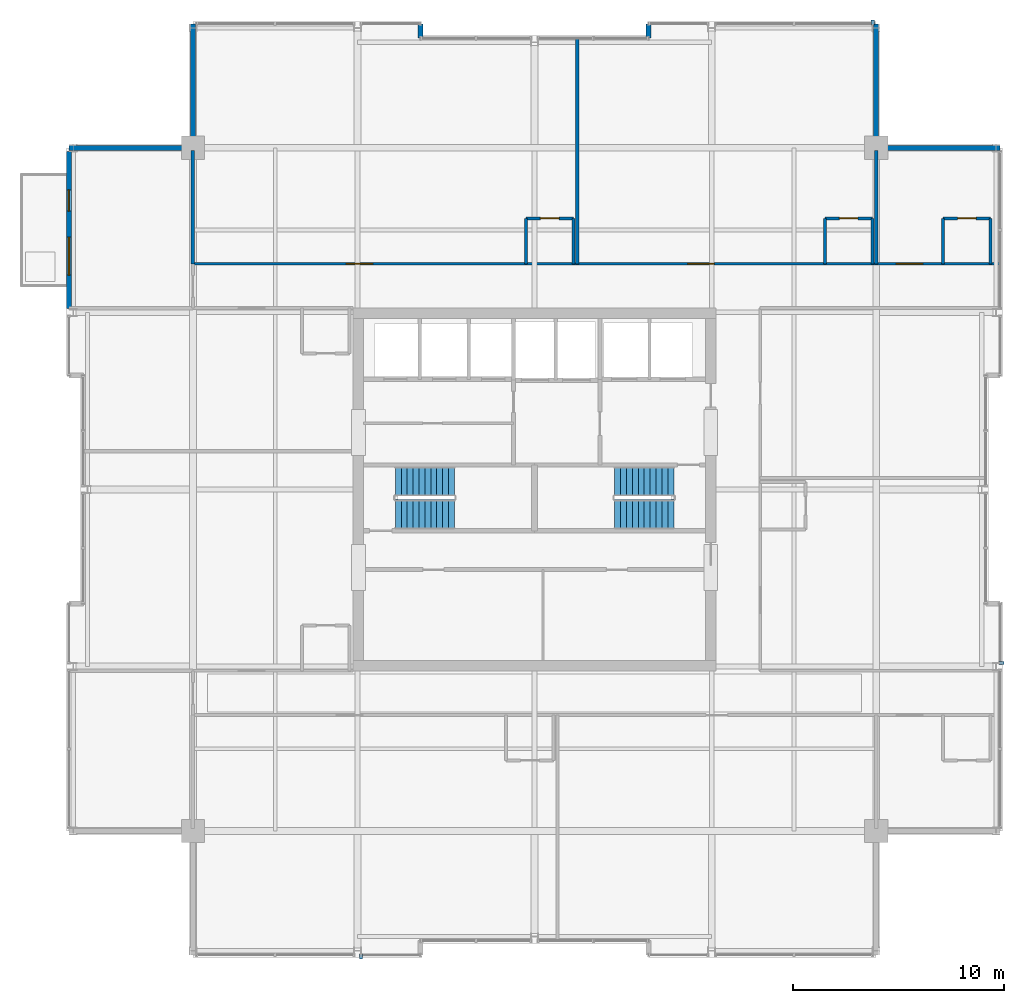
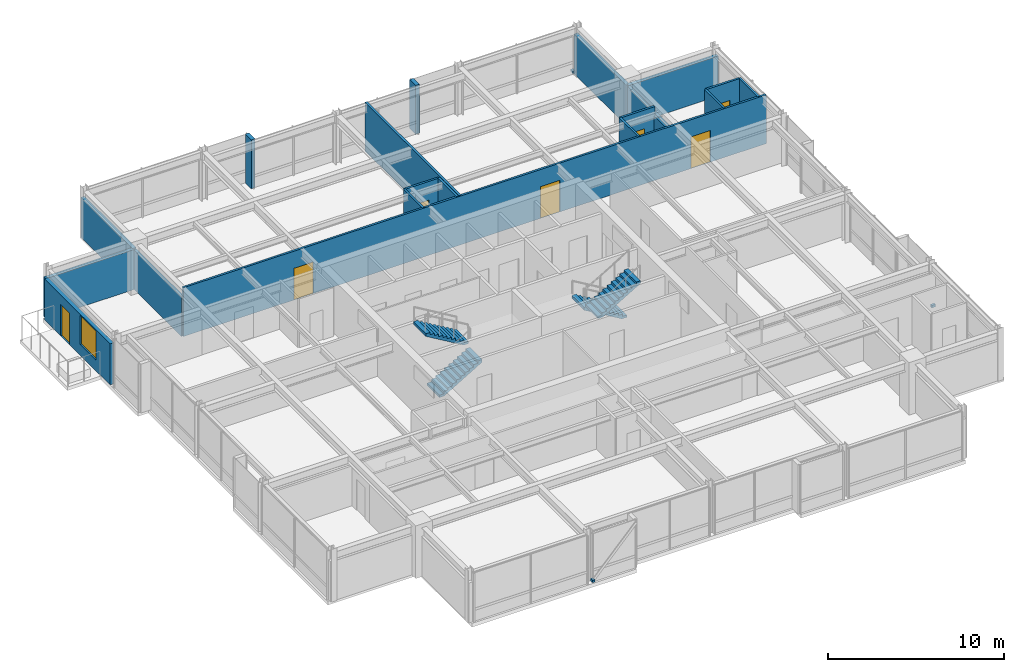
# One storey, part 30 of 33: 20 walls, 7 doors, 4 stair flights, 3 discrete accessories, 1 window, 8 openings, 2 elements without a shape of their own.
"""IFC4 building model written with IfcOpenShell, lengths in metres."""

from ifc_helpers import new_model, si_unit, direction, frame, frame_2d, origin, origin_2d, place, context, subcontext, project, spatial, polyline, rectangle, outline, extrude, material, layer, layer_set, type_object, element, fill, aggregate, save


model = new_model("IFC4")

# Units and contexts
model_context = context("Model", 3, precision=1e-05, world=origin(), true_north=direction((0.0, 1.0)))
body_context = subcontext(model_context, "Body", "Model", "MODEL_VIEW")
ifc_project = project(units=[si_unit("LENGTHUNIT", "METRE"), si_unit("AREAUNIT", "SQUARE_METRE"), si_unit("VOLUMEUNIT", "CUBIC_METRE"), si_unit("PLANEANGLEUNIT", "RADIAN"), si_unit("MASSUNIT", "GRAM", prefix="KILO")], contexts=[model_context])

# Site, building, storey
site_placement = place(None, origin())
site = spatial("IfcSite", under=ifc_project, at=site_placement, CompositionType="ELEMENT")
building_placement = place(site_placement, origin())
building = spatial("IfcBuilding", under=site, at=building_placement, Name="Drelvath Grand Hotel", CompositionType="ELEMENT")
storey_placement = place(building_placement, frame((0.0, 0.0, 283.25)))
storey = spatial("IfcBuildingStorey", under=building, at=storey_placement, Name="L74", CompositionType="ELEMENT", Elevation=283.25)

# Wall, openings, doors
ifc_material_1 = material(Name="Gypsum Fireboard Partition")
ifc_layer_1 = layer(ifc_material_1, 0.135009765625)
ifc_layer_set_1 = layer_set([ifc_layer_1], Name="Gypsum Fireboard Partition")
wall_type_1 = type_object("IfcWallType", Name="Corridor Fire Barrier Wall 135", PredefinedType="PARTITIONING", material=ifc_layer_set_1)
wall_1_placement = place(storey_placement, frame((-16.199951171875, 37.699951171875, 0.0), z_axis=(0.0, 0.0, 1.0), x_axis=(1.0, 0.0, 0.0)))
wall_1 = element("IfcWall", 1, at=wall_1_placement, inside=storey, type_object=wall_type_1, Name="L74 North Cross-Gallery Wall", PredefinedType="PARTITIONING", context=body_context, shape_type="SweptSolid", body=[
    extrude(rectangle(XDim=38.280029296875, YDim=0.135009765625, at=frame_2d((19.14013671875, 0.0))), origin(), (0.0, 0.0, 1.0), 3.389892578125),
])
opening_1_placement = place(wall_1_placement, frame((33.35498046875, 0.0, 0.0)))
opening_1 = element("IfcOpeningElement", 2, at=opening_1_placement, cuts=wall_1, Name="Opening D-T5G2-022", PredefinedType="OPENING", context=body_context, shape_type="SweptSolid", body=[
    extrude(rectangle(XDim=1.260009765625, YDim=2.199951171875, at=frame_2d((0.6298828125, 1.10009765625))), frame((0.0, 0.077392578125, 0.0), z_axis=(0.0, -1.0, 0.0), x_axis=(1.0, 0.0, 0.0)), (0.0, 0.0, 1.0), 0.155029296875),
])
opening_2_placement = place(wall_1_placement, frame((7.267578125, 0.0, 0.0)))
opening_2 = element("IfcOpeningElement", 3, at=opening_2_placement, cuts=wall_1, Name="Opening D-T5G2-027", PredefinedType="OPENING", context=body_context, shape_type="SweptSolid", body=[
    extrude(rectangle(XDim=1.260009765625, YDim=2.199951171875, at=frame_2d((0.6298828125, 1.10009765625))), frame((0.0, 0.077392578125, 0.0), z_axis=(0.0, -1.0, 0.0), x_axis=(1.0, 0.0, 0.0)), (0.0, 0.0, 1.0), 0.155029296875),
])
opening_3_placement = place(wall_1_placement, frame((23.467529296875, 0.0, 0.0)))
opening_3 = element("IfcOpeningElement", 4, at=opening_3_placement, cuts=wall_1, Name="Opening D-T5G2-029", PredefinedType="OPENING", context=body_context, shape_type="SweptSolid", body=[
    extrude(rectangle(XDim=1.260009765625, YDim=2.199951171875, at=frame_2d((0.6298828125, 1.10009765625))), frame((0.0, 0.077392578125, 0.0), z_axis=(0.0, -1.0, 0.0), x_axis=(1.0, 0.0, 0.0)), (0.0, 0.0, 1.0), 0.155029296875),
])
ifc_material_2 = material(Name="Hardwood Walnut Timber", Category="wood")
door_type_1 = type_object("IfcDoorType", Name="Suite Entrance Fire Door 1260x2200", OperationType="NOTDEFINED", PredefinedType="DOOR", material=ifc_material_2)
door_1_placement = place(opening_1_placement, origin())
door_1 = element("IfcDoor", 5, at=door_1_placement, inside=storey, type_object=door_type_1, Name="L74 Royal Suite Entry Door", OperationType="SINGLE_SWING_LEFT", OverallHeight=2.199951171875, OverallWidth=1.260009765625, PredefinedType="DOOR", context=body_context, shape_type="SweptSolid", body=[
    extrude(rectangle(XDim=1.260009765625, YDim=2.199951171875, at=frame_2d((0.6298828125, 1.10009765625))), frame((0.0, 0.02490234375, 0.0), z_axis=(0.0, -1.0, 0.0), x_axis=(1.0, 0.0, 0.0)), (0.0, 0.0, 1.0), 0.050048828125),
])
fill(opening_1, door_1)
door_2_placement = place(opening_2_placement, origin())
door_2 = element("IfcDoor", 6, at=door_2_placement, inside=storey, type_object=door_type_1, Name="L74 Royal Suite Entry Door", OperationType="SINGLE_SWING_RIGHT", OverallHeight=2.199951171875, OverallWidth=1.260009765625, PredefinedType="DOOR", context=body_context, shape_type="SweptSolid", body=[
    extrude(rectangle(XDim=1.260009765625, YDim=2.199951171875, at=frame_2d((0.6298828125, 1.10009765625))), frame((0.0, 0.02490234375, 0.0), z_axis=(0.0, -1.0, 0.0), x_axis=(1.0, 0.0, 0.0)), (0.0, 0.0, 1.0), 0.050048828125),
])
fill(opening_2, door_2)
door_3_placement = place(opening_3_placement, origin())
door_3 = element("IfcDoor", 7, at=door_3_placement, inside=storey, type_object=door_type_1, Name="L74 Royal Suite Entry Door", OperationType="SINGLE_SWING_RIGHT", OverallHeight=2.199951171875, OverallWidth=1.260009765625, PredefinedType="DOOR", context=body_context, shape_type="SweptSolid", body=[
    extrude(rectangle(XDim=1.260009765625, YDim=2.199951171875, at=frame_2d((0.6298828125, 1.10009765625))), frame((0.0, 0.02490234375, 0.0), z_axis=(0.0, -1.0, 0.0), x_axis=(1.0, 0.0, 0.0)), (0.0, 0.0, 1.0), 0.050048828125),
])
fill(opening_3, door_3)

# Walls
ifc_material_3 = material(Name="Moisture-Resistant Gypsum Board")
ifc_layer_2 = layer(ifc_material_3, 0.139892578125)
ifc_layer_set_2 = layer_set([ifc_layer_2], Name="Moisture-Resistant Gypsum Board")
wall_type_2 = type_object("IfcWallType", Name="En-Suite Plumbing Wall 140", PredefinedType="PLUMBINGWALL", material=ifc_layer_set_2)
for number, where, z_axis, x_axis, name in (
    (8, (19.3701171875, 37.699951171875, 0.0), (0.0, 0.0, 1.0), (0.0, 1.0, 0.0), "L74 En-Suite Left Wall"),
    (9, (21.6201171875, 37.699951171875, 0.0), (0.0, 0.0, 1.0), (0.0, 1.0, 0.0), "L74 En-Suite Right Wall"),
):
    element("IfcWall", number, at=place(storey_placement, frame(where, z_axis=z_axis, x_axis=x_axis)), inside=storey, type_object=wall_type_2, Name=name, PredefinedType="PLUMBINGWALL", context=body_context, shape_type="SweptSolid", body=[
        extrude(rectangle(XDim=2.150146484375, YDim=0.139892578125, at=frame_2d((1.0751953125, 0.0))), origin(), (0.0, 0.0, 1.0), 3.389892578125),
    ])

# Wall, opening, door
wall_2_placement = place(storey_placement, frame((19.3701171875, 39.85009765625, 0.0), z_axis=(0.0, 0.0, 1.0), x_axis=(1.0, 0.0, 0.0)))
wall_2 = element("IfcWall", 10, at=wall_2_placement, inside=storey, type_object=wall_type_2, Name="L74 En-Suite Front Wall", PredefinedType="PLUMBINGWALL", context=body_context, shape_type="SweptSolid", body=[
    extrude(rectangle(XDim=2.25, YDim=0.139892578125, at=frame_2d((1.125, 0.0))), origin(), (0.0, 0.0, 1.0), 3.389892578125),
])
opening_4_placement = place(wall_2_placement, frame((0.68505859375, 0.0, 0.0)))
opening_4 = element("IfcOpeningElement", 11, at=opening_4_placement, cuts=wall_2, Name="Opening D-T5G2-021", PredefinedType="OPENING", context=body_context, shape_type="SweptSolid", body=[
    extrude(rectangle(XDim=0.8798828125, YDim=2.10009765625, at=frame_2d((0.43994140625, 1.050048828125))), frame((0.0, 0.079833984375, 0.0), z_axis=(0.0, -1.0, 0.0), x_axis=(1.0, 0.0, 0.0)), (0.0, 0.0, 1.0), 0.159912109375),
])
door_type_2 = type_object("IfcDoorType", Name="En-Suite Bathroom Door 880x2100", OperationType="NOTDEFINED", PredefinedType="DOOR", material=ifc_material_2)
door_4_placement = place(opening_4_placement, origin())
door_4 = element("IfcDoor", 12, at=door_4_placement, inside=storey, type_object=door_type_2, Name="L74 En-Suite Bathroom Door", OperationType="SINGLE_SWING_RIGHT", OverallHeight=2.10009765625, OverallWidth=0.8798828125, PredefinedType="DOOR", context=body_context, shape_type="SweptSolid", body=[
    extrude(rectangle(XDim=0.8798828125, YDim=2.10009765625, at=frame_2d((0.43994140625, 1.050048828125))), frame((0.0, 0.02490234375, 0.0), z_axis=(0.0, -1.0, 0.0), x_axis=(1.0, 0.0, 0.0)), (0.0, 0.0, 1.0), 0.050048828125),
])
fill(opening_4, door_4)

# Walls
for number, where, z_axis, x_axis, name in (
    (13, (-0.405029296875, 37.699951171875, 0.0), (0.0, 0.0, 1.0), (0.0, 1.0, 0.0), "L74 En-Suite Left Wall"),
    (14, (1.844970703125, 37.699951171875, 0.0), (0.0, 0.0, 1.0), (0.0, 1.0, 0.0), "L74 En-Suite Right Wall"),
):
    element("IfcWall", number, at=place(storey_placement, frame(where, z_axis=z_axis, x_axis=x_axis)), inside=storey, type_object=wall_type_2, Name=name, PredefinedType="PLUMBINGWALL", context=body_context, shape_type="SweptSolid", body=[
        extrude(rectangle(XDim=2.150146484375, YDim=0.139892578125, at=frame_2d((1.0751953125, 0.0))), origin(), (0.0, 0.0, 1.0), 3.389892578125),
    ])

# Wall, opening, door
wall_3_placement = place(storey_placement, frame((-0.405029296875, 39.85009765625, 0.0), z_axis=(0.0, 0.0, 1.0), x_axis=(1.0, 0.0, 0.0)))
wall_3 = element("IfcWall", 15, at=wall_3_placement, inside=storey, type_object=wall_type_2, Name="L74 En-Suite Front Wall", PredefinedType="PLUMBINGWALL", context=body_context, shape_type="SweptSolid", body=[
    extrude(rectangle(XDim=2.25, YDim=0.139892578125, at=frame_2d((1.125, 0.0))), origin(), (0.0, 0.0, 1.0), 3.389892578125),
])
opening_5_placement = place(wall_3_placement, frame((0.68505859375, 0.0, 0.0)))
opening_5 = element("IfcOpeningElement", 16, at=opening_5_placement, cuts=wall_3, Name="Opening D-T5G2-026", PredefinedType="OPENING", context=body_context, shape_type="SweptSolid", body=[
    extrude(rectangle(XDim=0.8798828125, YDim=2.10009765625, at=frame_2d((0.43994140625, 1.050048828125))), frame((0.0, 0.079833984375, 0.0), z_axis=(0.0, -1.0, 0.0), x_axis=(1.0, 0.0, 0.0)), (0.0, 0.0, 1.0), 0.159912109375),
])
door_5_placement = place(opening_5_placement, origin())
door_5 = element("IfcDoor", 17, at=door_5_placement, inside=storey, type_object=door_type_2, Name="L74 En-Suite Bathroom Door", OperationType="SINGLE_SWING_LEFT", OverallHeight=2.10009765625, OverallWidth=0.8798828125, PredefinedType="DOOR", context=body_context, shape_type="SweptSolid", body=[
    extrude(rectangle(XDim=0.8798828125, YDim=2.10009765625, at=frame_2d((0.43994140625, 1.050048828125))), frame((0.0, 0.02490234375, 0.0), z_axis=(0.0, -1.0, 0.0), x_axis=(1.0, 0.0, 0.0)), (0.0, 0.0, 1.0), 0.050048828125),
])
fill(opening_5, door_5)

# Walls
wall_4_placement = place(storey_placement, frame((13.77001953125, 37.699951171875, 0.0), z_axis=(0.0, 0.0, 1.0), x_axis=(0.0, 1.0, 0.0)))
element("IfcWall", 18, at=wall_4_placement, inside=storey, type_object=wall_type_2, Name="L74 En-Suite Left Wall", PredefinedType="PLUMBINGWALL", context=body_context, shape_type="SweptSolid", body=[
    extrude(rectangle(XDim=2.150146484375, YDim=0.139892578125, at=frame_2d((1.0751953125, 0.0))), origin(), (0.0, 0.0, 1.0), 3.389892578125),
])
wall_5_placement = place(storey_placement, frame((16.02001953125, 37.699951171875, 0.0), z_axis=(0.0, 0.0, 1.0), x_axis=(0.0, 1.0, 0.0)))
element("IfcWall", 19, at=wall_5_placement, inside=storey, type_object=wall_type_2, Name="L74 En-Suite Right Wall", PredefinedType="PLUMBINGWALL", context=body_context, shape_type="SweptSolid", body=[
    extrude(rectangle(XDim=2.150146484375, YDim=0.139892578125, at=frame_2d((1.0751953125, 0.0))), origin(), (0.0, 0.0, 1.0), 2.763916015625),
])

# Wall, opening, door
wall_6_placement = place(storey_placement, frame((13.77001953125, 39.85009765625, 0.0), z_axis=(0.0, 0.0, 1.0), x_axis=(1.0, 0.0, 0.0)))
wall_6 = element("IfcWall", 20, at=wall_6_placement, inside=storey, type_object=wall_type_2, Name="L74 En-Suite Front Wall", PredefinedType="PLUMBINGWALL", context=body_context, shape_type="SweptSolid", body=[
    extrude(rectangle(XDim=2.25, YDim=0.139892578125, at=frame_2d((1.125, 0.0))), origin(), (0.0, 0.0, 1.0), 3.389892578125),
])
opening_6_placement = place(wall_6_placement, frame((0.68505859375, 0.0, 0.0)))
opening_6 = element("IfcOpeningElement", 21, at=opening_6_placement, cuts=wall_6, Name="Opening D-T5G2-028", PredefinedType="OPENING", context=body_context, shape_type="SweptSolid", body=[
    extrude(rectangle(XDim=0.8798828125, YDim=2.10009765625, at=frame_2d((0.43994140625, 1.050048828125))), frame((0.0, 0.079833984375, 0.0), z_axis=(0.0, -1.0, 0.0), x_axis=(1.0, 0.0, 0.0)), (0.0, 0.0, 1.0), 0.159912109375),
])
door_6_placement = place(opening_6_placement, origin())
door_6 = element("IfcDoor", 22, at=door_6_placement, inside=storey, type_object=door_type_2, Name="L74 En-Suite Bathroom Door", OperationType="SINGLE_SWING_LEFT", OverallHeight=2.10009765625, OverallWidth=0.8798828125, PredefinedType="DOOR", context=body_context, shape_type="SweptSolid", body=[
    extrude(rectangle(XDim=0.8798828125, YDim=2.10009765625, at=frame_2d((0.43994140625, 1.050048828125))), frame((0.0, 0.02490234375, 0.0), z_axis=(0.0, -1.0, 0.0), x_axis=(1.0, 0.0, 0.0)), (0.0, 0.0, 1.0), 0.050048828125),
])
fill(opening_6, door_6)

# Walls
ifc_material_4 = material(Name="Gypsum Acoustic Partition")
ifc_layer_3 = layer(ifc_material_4, 0.14990234375)
ifc_layer_set_3 = layer_set([ifc_layer_3], Name="Gypsum Acoustic Partition")
wall_type_3 = type_object("IfcWallType", Name="Guestroom Demising Wall 150", PredefinedType="PARTITIONING", material=ifc_layer_set_3)
wall_7_placement = place(storey_placement, frame((2.02490234375, 37.699951171875, 0.0), z_axis=(0.0, 0.0, 1.0), x_axis=(0.0, 1.0, 0.0)))
element("IfcWall", 23, at=wall_7_placement, inside=storey, type_object=wall_type_3, Name="L74 North Demising 1", PredefinedType="PARTITIONING", context=body_context, shape_type="SweptSolid", body=[
    extrude(rectangle(XDim=10.699951171875, YDim=0.14990234375, at=frame_2d((5.35009765625, 0.0))), origin(), (0.0, 0.0, 1.0), 3.389892578125),
])
ifc_layer_4 = layer(ifc_material_4, 0.1650390625)
ifc_layer_set_4 = layer_set([ifc_layer_4], Name="Gypsum Acoustic Partition")
wall_type_4 = type_object("IfcWallType", Name="Suite Demising Wall 165", PredefinedType="PARTITIONING", material=ifc_layer_set_4)
for number, where, z_axis, x_axis, name in (
    (24, (-16.199951171875, 37.699951171875, 0.0), (0.0, 0.0, 1.0), (0.0, 1.0, 0.0), "L74 NW Suite Wall"),
    (25, (16.199951171875, 37.699951171875, 0.0), (0.0, 0.0, 1.0), (0.0, 1.0, 0.0), "L74 NE Suite Wall"),
):
    element("IfcWall", number, at=place(storey_placement, frame(where, z_axis=z_axis, x_axis=x_axis)), inside=storey, type_object=wall_type_4, Name=name, PredefinedType="PARTITIONING", context=body_context, shape_type="SweptSolid", body=[
        extrude(rectangle(XDim=5.380126953125, YDim=0.1650390625, at=frame_2d((2.68994140625, 0.0))), origin(), (0.0, 0.0, 1.0), 2.763916015625),
    ])

# Wall, openings, window, door
ifc_material_5 = material(Name="Pale-Metal Insulated Aluminium Spandrel Assembly", Category="aluminium")
ifc_layer_5 = layer(ifc_material_5, 0.239990234375)
ifc_layer_set_5 = layer_set([ifc_layer_5], Name="Pale-Metal Insulated Aluminium Spandrel Assembly")
wall_type_5 = type_object("IfcWallType", Name="Tower Insulated Metal Spandrel Closure Wall 240", PredefinedType="STANDARD", material=ifc_layer_set_5)
wall_8_placement = place(storey_placement, frame((-22.080078125, 35.570068359375, 0.0), z_axis=(0.0, 0.0, 1.0), x_axis=(0.0, 1.0, 0.0)))
wall_8 = element("IfcWall", 26, at=wall_8_placement, inside=storey, type_object=wall_type_5, Name="L74 Exterior Terrace Door Bay Wall WN2", PredefinedType="STANDARD", context=body_context, shape_type="SweptSolid", body=[
    extrude(rectangle(XDim=7.4599609375, YDim=0.239990234375, at=frame_2d((3.72998046875, 0.0))), origin(), (0.0, 0.0, 1.0), 2.853271484375),
])
opening_7_placement = place(wall_8_placement, frame((4.6298828125, 0.0, 0.0)))
opening_7 = element("IfcOpeningElement", 27, at=opening_7_placement, cuts=wall_8, Name="Opening TD-1000", PredefinedType="OPENING", context=body_context, shape_type="SweptSolid", body=[
    extrude(rectangle(XDim=1.0, YDim=2.199951171875, at=frame_2d((0.5, 1.10009765625))), frame((0.0, 0.1298828125, 0.0), z_axis=(0.0, -1.0, 0.0), x_axis=(1.0, 0.0, 0.0)), (0.0, 0.0, 1.0), 0.260009765625),
])
opening_8_placement = place(wall_8_placement, frame((1.591552734375, 0.0, 0.75)))
opening_8 = element("IfcOpeningElement", 28, at=opening_8_placement, cuts=wall_8, Name="Opening W-02", PredefinedType="OPENING", context=body_context, shape_type="SweptSolid", body=[
    extrude(rectangle(XDim=1.800048828125, YDim=2.00341796875, at=frame_2d((0.89990234375, 1.001708984375))), frame((0.0, 0.1298828125, 0.0), z_axis=(0.0, -1.0, 0.0), x_axis=(1.0, 0.0, 0.0)), (0.0, 0.0, 1.0), 0.260009765625),
])
ifc_material_6 = material(Name="Bronze Anodised Low-E Triple Glazing", Category="glass")
window_type = type_object("IfcWindowType", Name="Chicago Double-Pane Podium Window 1800x2400", PartitioningType="DOUBLE_PANEL_VERTICAL", PredefinedType="WINDOW", material=ifc_material_6)
window_placement = place(opening_8_placement, origin())
window = element("IfcWindow", 29, at=window_placement, inside=storey, type_object=window_type, Name="L74 Terrace Bay Companion Window WN2", OverallHeight=2.00341796875, OverallWidth=1.800048828125, PartitioningType="SINGLE_PANEL", PredefinedType="WINDOW", context=body_context, shape_type="SweptSolid", body=[
    extrude(rectangle(XDim=1.800048828125, YDim=2.00341796875, at=frame_2d((0.89990234375, 1.001708984375))), frame((0.0, 0.030029296875, 0.0), z_axis=(0.0, -1.0, 0.0), x_axis=(1.0, 0.0, 0.0)), (0.0, 0.0, 1.0), 0.06005859375),
])
fill(opening_8, window)
ifc_material_7 = material(Name="Anodised Aluminium Thermally Broken Glazed Door", Category="aluminium")
door_type_3 = type_object("IfcDoorType", Name="Terrace and Tree Balcony Glazed Door 1000x2200", OperationType="NOTDEFINED", PredefinedType="DOOR", material=ifc_material_7)
door_7_placement = place(opening_7_placement, origin())
door_7 = element("IfcDoor", 30, at=door_7_placement, inside=storey, type_object=door_type_3, Name="L74 Tree Balcony Door DOOR-L74-TBAL-1", OperationType="SINGLE_SWING_RIGHT", OverallHeight=2.199951171875, OverallWidth=1.0, PredefinedType="DOOR", context=body_context, shape_type="SweptSolid", body=[
    extrude(rectangle(XDim=1.0, YDim=2.199951171875, at=frame_2d((0.5, 1.10009765625))), frame((0.0, 0.02490234375, 0.0), z_axis=(0.0, -1.0, 0.0), x_axis=(1.0, 0.0, 0.0)), (0.0, 0.0, 1.0), 0.050048828125),
])
fill(opening_7, door_7)

# Walls
for number, where, z_axis, x_axis, name in (
    (31, (-22.080078125, 43.199951171875, 0.0), (0.0, 0.0, 1.0), (1.0, 0.0, 0.0), "L74 Notched Corner Return Spandrel Wall CNW1"),
    (32, (-16.199951171875, 43.199951171875, 0.0), (0.0, 0.0, 1.0), (0.0, 1.0, 0.0), "L74 Notched Corner Return Spandrel Wall CNW2"),
    (33, (16.199951171875, 49.080078125, 0.0), (0.0, 0.0, 1.0), (0.0, -1.0, 0.0), "L74 Notched Corner Return Spandrel Wall CNE1"),
    (34, (16.199951171875, 43.199951171875, 0.0), (0.0, 0.0, 1.0), (1.0, 0.0, 0.0), "L74 Notched Corner Return Spandrel Wall CNE2"),
):
    element("IfcWall", number, at=place(storey_placement, frame(where, z_axis=z_axis, x_axis=x_axis)), inside=storey, type_object=wall_type_5, Name=name, PredefinedType="STANDARD", context=body_context, shape_type="SweptSolid", body=[
        extrude(rectangle(XDim=5.880126953125, YDim=0.239990234375, at=frame_2d((2.93994140625, 0.0))), origin(), (0.0, 0.0, 1.0), 2.779052734375),
    ])
for number, where, z_axis, x_axis, name in (
    (35, (-5.39990234375, 49.080078125, 0.0), (0.0, 0.0, 1.0), (0.0, -1.0, 0.0), "L74 Notched Corner Return Spandrel Wall RN1"),
    (36, (5.39990234375, 48.39990234375, 0.0), (0.0, 0.0, 1.0), (0.0, 1.0, 0.0), "L74 Notched Corner Return Spandrel Wall RN2"),
):
    element("IfcWall", number, at=place(storey_placement, frame(where, z_axis=z_axis, x_axis=x_axis)), inside=storey, type_object=wall_type_5, Name=name, PredefinedType="STANDARD", context=body_context, shape_type="SweptSolid", body=[
        extrude(rectangle(XDim=0.68017578125, YDim=0.239990234375, at=frame_2d((0.340087890625, 0.0))), origin(), (0.0, 0.0, 1.0), 3.389892578125),
    ])

# Stair, stair flights
ifc_material_8 = material(Name="Concrete C40/50", Category="concrete")
stair_type = type_object("IfcStairType", Name="Dogleg Exit Stair W1400-R165.9", PredefinedType="HALF_TURN_STAIR", material=ifc_material_8)
stair_1_placement = place(storey_placement, origin())
stair_1 = element("IfcStair", 37, at=stair_1_placement, inside=storey, type_object=stair_type, Name="L74 Core Exit Stair ST-1", PredefinedType="HALF_TURN_STAIR")
stair_flight_type = type_object("IfcStairFlightType", Name="Concrete Stair Flight W1400-R165.9", PredefinedType="STRAIGHT", material=ifc_material_8)
stair_flight_1_placement = place(storey_placement, frame((-6.60009765625, 25.820068359375, 0.0), z_axis=(0.0, 0.0, 1.0), x_axis=(1.0, 0.0, 0.0)))
stair_flight_1 = element("IfcStairFlight", 38, at=stair_flight_1_placement, type_object=stair_flight_type, Name="ST-1 flight 1", NumberOfRisers=11, NumberOfTreads=10, PredefinedType="STRAIGHT", RiserHeight=0.165909091, TreadLength=0.28, context=body_context, shape_type="SweptSolid", body=[
    extrude(outline(polyline([(0.0, 0.0), (0.0, 0.166015625), (0.280029296875, 0.166015625), (0.280029296875, 0.331787109375), (0.56005859375, 0.331787109375), (0.56005859375, 0.497802734375), (0.840087890625, 0.497802734375), (0.840087890625, 0.66357421875), (1.1201171875, 0.66357421875), (1.1201171875, 0.82958984375), (1.39990234375, 0.82958984375), (1.39990234375, 0.995361328125), (1.679931640625, 0.995361328125), (1.679931640625, 1.161376953125), (1.9599609375, 1.161376953125), (1.9599609375, 1.327392578125), (2.239990234375, 1.327392578125), (2.239990234375, 1.4931640625), (2.52001953125, 1.4931640625), (2.52001953125, 1.6591796875), (2.800048828125, 1.6591796875), (2.800048828125, 1.824951171875), (2.800048828125, 1.47314453125), (0.313720703125, 0.0), (0.0, 0.0)])), frame((0.0, 0.699951171875, 0.0), z_axis=(0.0, -1.0, 0.0), x_axis=(1.0, 0.0, 0.0)), (0.0, 0.0, 1.0), 1.39990234375),
])
stair_flight_2_placement = place(storey_placement, frame((-3.800048828125, 27.3798828125, 1.824951171875), z_axis=(0.0, 0.0, 1.0), x_axis=(-1.0, 0.0, 0.0)))
stair_flight_2 = element("IfcStairFlight", 39, at=stair_flight_2_placement, type_object=stair_flight_type, Name="ST-1 flight 2", NumberOfRisers=11, NumberOfTreads=10, PredefinedType="STRAIGHT", RiserHeight=0.165909091, TreadLength=0.28, context=body_context, shape_type="SweptSolid", body=[
    extrude(outline(polyline([(0.0, 0.0), (0.0, 0.166015625), (0.280029296875, 0.166015625), (0.280029296875, 0.331787109375), (0.56005859375, 0.331787109375), (0.56005859375, 0.497802734375), (0.840087890625, 0.497802734375), (0.840087890625, 0.66357421875), (1.1201171875, 0.66357421875), (1.1201171875, 0.82958984375), (1.39990234375, 0.82958984375), (1.39990234375, 0.995361328125), (1.679931640625, 0.995361328125), (1.679931640625, 1.161376953125), (1.9599609375, 1.161376953125), (1.9599609375, 1.327392578125), (2.239990234375, 1.327392578125), (2.239990234375, 1.4931640625), (2.52001953125, 1.4931640625), (2.52001953125, 1.6591796875), (2.800048828125, 1.6591796875), (2.800048828125, 1.824951171875), (2.800048828125, 1.47314453125), (0.313720703125, 0.0), (0.0, 0.0)])), frame((0.0, 0.699951171875, 0.0), z_axis=(0.0, -1.0, 0.0), x_axis=(1.0, 0.0, 0.0)), (0.0, 0.0, 1.0), 1.39990234375),
])
aggregate(stair_1, [stair_flight_1, stair_flight_2])

stair_2_placement = place(storey_placement, origin())
stair_2 = element("IfcStair", 40, at=stair_2_placement, inside=storey, type_object=stair_type, Name="L74 Core Exit Stair ST-2", PredefinedType="HALF_TURN_STAIR")
stair_flight_3_placement = place(storey_placement, frame((6.60009765625, 27.3798828125, 0.0), z_axis=(0.0, 0.0, 1.0), x_axis=(-1.0, 0.0, 0.0)))
stair_flight_3 = element("IfcStairFlight", 41, at=stair_flight_3_placement, type_object=stair_flight_type, Name="ST-2 flight 1", NumberOfRisers=11, NumberOfTreads=10, PredefinedType="STRAIGHT", RiserHeight=0.165909091, TreadLength=0.28, context=body_context, shape_type="SweptSolid", body=[
    extrude(outline(polyline([(0.0, 0.0), (0.0, 0.166015625), (0.280029296875, 0.166015625), (0.280029296875, 0.331787109375), (0.56005859375, 0.331787109375), (0.56005859375, 0.497802734375), (0.840087890625, 0.497802734375), (0.840087890625, 0.66357421875), (1.1201171875, 0.66357421875), (1.1201171875, 0.82958984375), (1.39990234375, 0.82958984375), (1.39990234375, 0.995361328125), (1.679931640625, 0.995361328125), (1.679931640625, 1.161376953125), (1.9599609375, 1.161376953125), (1.9599609375, 1.327392578125), (2.239990234375, 1.327392578125), (2.239990234375, 1.4931640625), (2.52001953125, 1.4931640625), (2.52001953125, 1.6591796875), (2.800048828125, 1.6591796875), (2.800048828125, 1.824951171875), (2.800048828125, 1.47314453125), (0.313720703125, 0.0), (0.0, 0.0)])), frame((0.0, 0.699951171875, 0.0), z_axis=(0.0, -1.0, 0.0), x_axis=(1.0, 0.0, 0.0)), (0.0, 0.0, 1.0), 1.39990234375),
])
stair_flight_4_placement = place(storey_placement, frame((3.800048828125, 25.820068359375, 1.824951171875), z_axis=(0.0, 0.0, 1.0), x_axis=(1.0, 0.0, 0.0)))
stair_flight_4 = element("IfcStairFlight", 42, at=stair_flight_4_placement, type_object=stair_flight_type, Name="ST-2 flight 2", NumberOfRisers=11, NumberOfTreads=10, PredefinedType="STRAIGHT", RiserHeight=0.165909091, TreadLength=0.28, context=body_context, shape_type="SweptSolid", body=[
    extrude(outline(polyline([(0.0, 0.0), (0.0, 0.166015625), (0.280029296875, 0.166015625), (0.280029296875, 0.331787109375), (0.56005859375, 0.331787109375), (0.56005859375, 0.497802734375), (0.840087890625, 0.497802734375), (0.840087890625, 0.66357421875), (1.1201171875, 0.66357421875), (1.1201171875, 0.82958984375), (1.39990234375, 0.82958984375), (1.39990234375, 0.995361328125), (1.679931640625, 0.995361328125), (1.679931640625, 1.161376953125), (1.9599609375, 1.161376953125), (1.9599609375, 1.327392578125), (2.239990234375, 1.327392578125), (2.239990234375, 1.4931640625), (2.52001953125, 1.4931640625), (2.52001953125, 1.6591796875), (2.800048828125, 1.6591796875), (2.800048828125, 1.824951171875), (2.800048828125, 1.47314453125), (0.313720703125, 0.0), (0.0, 0.0)])), frame((0.0, 0.699951171875, 0.0), z_axis=(0.0, -1.0, 0.0), x_axis=(1.0, 0.0, 0.0)), (0.0, 0.0, 1.0), 1.39990234375),
])
aggregate(stair_2, [stair_flight_3, stair_flight_4])

# Discrete accessories
ifc_material_9 = material(Name="Stainless Steel Grade 316", Category="steel")
discrete_accessory_type = type_object("IfcDiscreteAccessoryType", Name="Curtain Wall Fin Mounting Bracket Cleat", PredefinedType="BRACKET", material=ifc_material_9)
for number, where, z_axis, x_axis, name in (
    (43, (22.139892578125, 18.77001953125, 0.10009765625), (0.0, 0.0, 1.0), (0.0, -1.0, 0.0), "L74 Fin Mounting Bracket CW05-L74-ES2-1"),
    (44, (16.02978515625, 49.139892578125, 0.10009765625), (0.0, 0.0, 1.0), (1.0, 0.0, 0.0), "L74 Fin Mounting Bracket CW05-L74-NE2-1"),
    (45, (-8.22998046875, 4.860107421875, 0.10009765625), (0.0, 0.0, 1.0), (-1.0, 0.0, 0.0), "L74 Fin Mounting Bracket CW05-L74-SW2-1"),
):
    element("IfcDiscreteAccessory", number, at=place(storey_placement, frame(where, z_axis=z_axis, x_axis=x_axis)), inside=storey, type_object=discrete_accessory_type, Name=name, PredefinedType="BRACKET", context=body_context, shape_type="SweptSolid", body=[
        extrude(rectangle(XDim=0.159912109375, YDim=0.239990234375, at=origin_2d()), origin(), (0.0, 0.0, 1.0), 0.159912109375),
    ])

save(model, "model.ifc")
